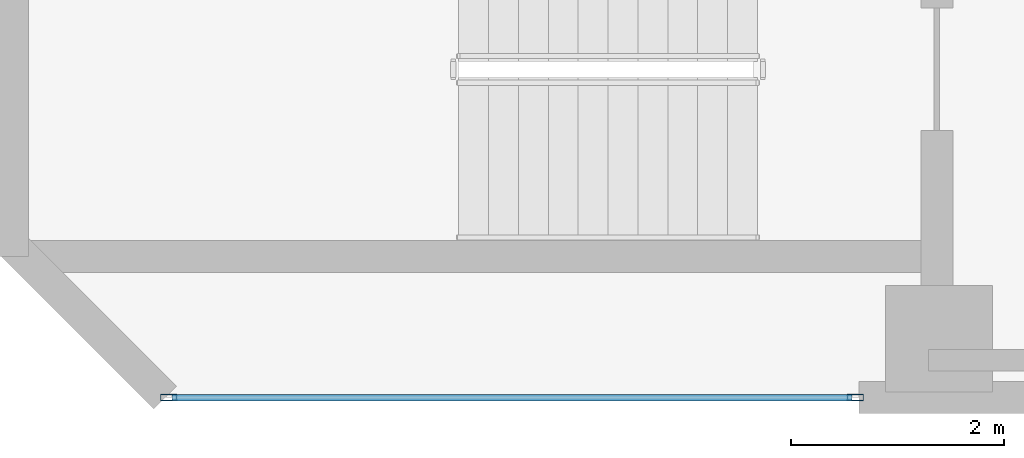
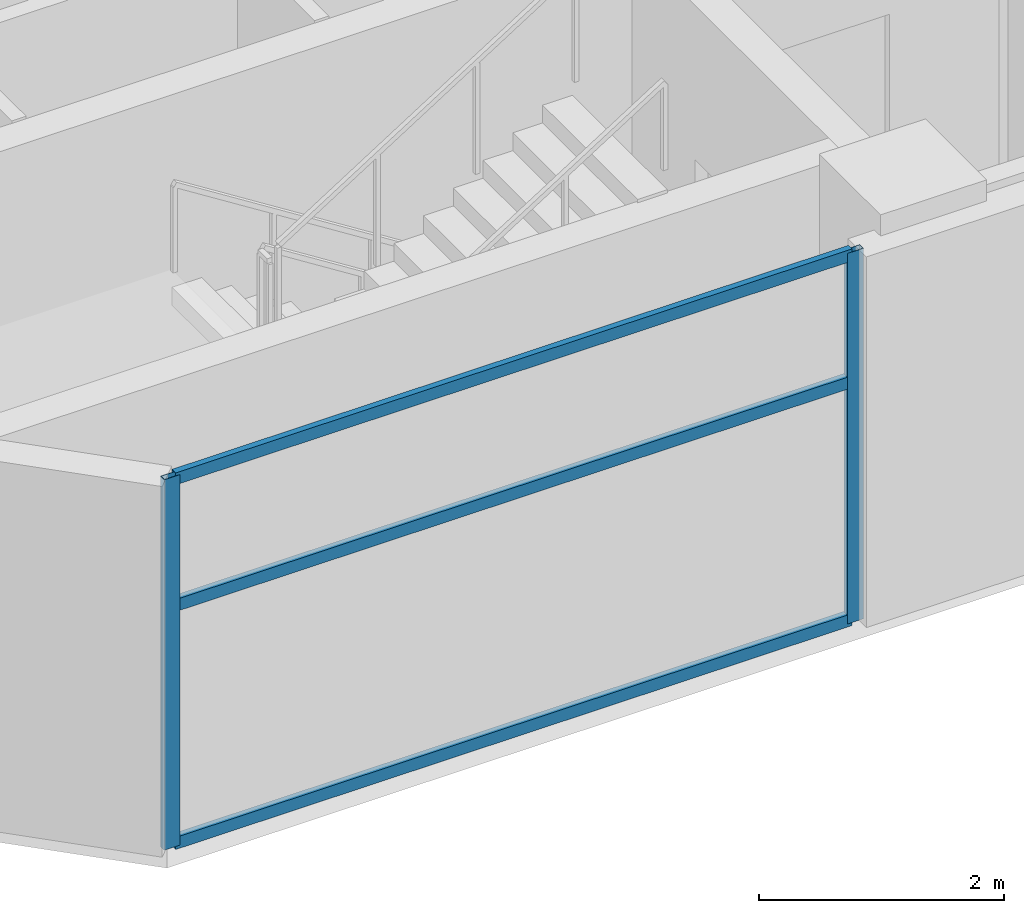
# One storey, part 2 of 16: 5 members, 1 element without a shape of its own.
"""IFC4 building model written with IfcOpenShell, lengths in metres."""

from ifc_helpers import new_model, si_unit, direction, frame, origin, origin_2d, place, context, subcontext, project, spatial, hollow_rectangle, extrude, material, layer, layer_set, material_profile, profile_set, type_object, element, aggregate, save


model = new_model("IFC4")

# Units and contexts
model_context = context("Model", 3, precision=1e-05, world=origin(), true_north=direction((0.0, 1.0)))
body_context = subcontext(model_context, "Body", "Model", "MODEL_VIEW")
ifc_project = project(units=[si_unit("LENGTHUNIT", "METRE"), si_unit("AREAUNIT", "SQUARE_METRE"), si_unit("VOLUMEUNIT", "CUBIC_METRE"), si_unit("PLANEANGLEUNIT", "RADIAN"), si_unit("MASSUNIT", "GRAM", prefix="KILO")], contexts=[model_context])

# Site, building, storey
site_placement = place(None, origin())
site = spatial("IfcSite", under=ifc_project, at=site_placement, CompositionType="ELEMENT")
building_placement = place(site_placement, origin())
building = spatial("IfcBuilding", under=site, at=building_placement, Name="Mawjaban Terraces University", CompositionType="ELEMENT")
storey_placement = place(building_placement, frame((0.0, 0.0, 230.39990234375)))
storey = spatial("IfcBuildingStorey", under=building, at=storey_placement, Name="L56", CompositionType="ELEMENT", Elevation=230.39990234375)

# Curtain wall, members
ifc_material_1 = material(Name="Anodised aluminium 6063-T6 and solar-control low-E glass", Category="aluminium")
ifc_layer = layer(ifc_material_1, 0.159912109375)
ifc_layer_set = layer_set([ifc_layer], Name="Anodised aluminium 6063-T6 and solar-control low-E glass")
curtain_wall_type = type_object("IfcCurtainWallType", Name="CWSystem_03_NorthWing", PredefinedType="NOTDEFINED", material=ifc_layer_set)
curtain_wall_placement = place(storey_placement, origin())
curtain_wall = element("IfcCurtainWall", 1, at=curtain_wall_placement, inside=storey, type_object=curtain_wall_type, Name="L56 Curtain Wall CW-03 Run 1.1", PredefinedType="NOTDEFINED")
ifc_material_2 = material(Name="Anodised aluminium 6063-T6", Category="aluminium")
ifc_material_profile_1 = material_profile(ifc_material_2, hollow_rectangle(XDim=0.06005859375, YDim=0.14990234375, WallThickness=0.00390625, at=origin_2d()), Name="ALU150X60X4")
ifc_profile_set_1 = profile_set([ifc_material_profile_1], Name="Anodised aluminium 6063-T6")
member_type_1 = type_object("IfcMemberType", Name="Mullion_CW-03", PredefinedType="MULLION", material=ifc_profile_set_1)
member_1_placement = place(storey_placement, frame((24.532470703125, 0.0, 0.0), z_axis=(0.0, 0.0, 1.0), x_axis=(0.0, 1.0, 0.0)))
member_1 = element("IfcMember", 2, at=member_1_placement, type_object=member_type_1, Name="CW-03 mullion 1", PredefinedType="MULLION", context=body_context, shape_type="SweptSolid", body=[
    extrude(hollow_rectangle(XDim=0.06005859375, YDim=0.14990234375, WallThickness=0.00390625, at=origin_2d()), origin(), (0.0, 0.0, 1.0), 3.690185546875),
])
member_2_placement = place(storey_placement, frame((30.967529296875, 0.0, 0.0), z_axis=(0.0, 0.0, 1.0), x_axis=(0.0, 1.0, 0.0)))
member_2 = element("IfcMember", 3, at=member_2_placement, type_object=member_type_1, Name="CW-03 mullion 2", PredefinedType="MULLION", context=body_context, shape_type="SweptSolid", body=[
    extrude(hollow_rectangle(XDim=0.06005859375, YDim=0.14990234375, WallThickness=0.00390625, at=origin_2d()), origin(), (0.0, 0.0, 1.0), 3.690185546875),
])
ifc_material_profile_2 = material_profile(ifc_material_2, hollow_rectangle(XDim=0.06005859375, YDim=0.1201171875, WallThickness=0.00341796875, at=origin_2d()), Name="ALU120X60X3.5")
ifc_profile_set_2 = profile_set([ifc_material_profile_2], Name="Anodised aluminium 6063-T6")
member_type_2 = type_object("IfcMemberType", Name="Transom_CW-03", PredefinedType="NOTDEFINED", material=ifc_profile_set_2)
member_3_placement = place(storey_placement, frame((24.56494140625, 0.0, 0.030029296875), z_axis=(1.0, 0.0, 0.0), x_axis=(0.0, 1.0, 0.0)))
member_3 = element("IfcMember", 4, at=member_3_placement, type_object=member_type_2, Name="CW-03 transom 1.1", ObjectType="TRANSOM", PredefinedType="USERDEFINED", context=body_context, shape_type="SweptSolid", body=[
    extrude(hollow_rectangle(XDim=0.06005859375, YDim=0.1201171875, WallThickness=0.00341796875, at=origin_2d()), origin(), (0.0, 0.0, 1.0), 6.3701171875),
])
member_4_placement = place(storey_placement, frame((24.56494140625, 0.0, 2.398193359375), z_axis=(1.0, 0.0, 0.0), x_axis=(0.0, 1.0, 0.0)))
member_4 = element("IfcMember", 5, at=member_4_placement, type_object=member_type_2, Name="CW-03 transom 1.2", ObjectType="TRANSOM", PredefinedType="USERDEFINED", context=body_context, shape_type="SweptSolid", body=[
    extrude(hollow_rectangle(XDim=0.06005859375, YDim=0.1201171875, WallThickness=0.00341796875, at=origin_2d()), origin(), (0.0, 0.0, 1.0), 6.3701171875),
])
member_5_placement = place(storey_placement, frame((24.56494140625, 0.0, 3.66015625), z_axis=(1.0, 0.0, 0.0), x_axis=(0.0, 1.0, 0.0)))
member_5 = element("IfcMember", 6, at=member_5_placement, type_object=member_type_2, Name="CW-03 transom 1.3", ObjectType="TRANSOM", PredefinedType="USERDEFINED", context=body_context, shape_type="SweptSolid", body=[
    extrude(hollow_rectangle(XDim=0.06005859375, YDim=0.1201171875, WallThickness=0.00341796875, at=origin_2d()), origin(), (0.0, 0.0, 1.0), 6.3701171875),
])
aggregate(curtain_wall, [member_1, member_2, member_3, member_4, member_5])

save(model, "model.ifc")
